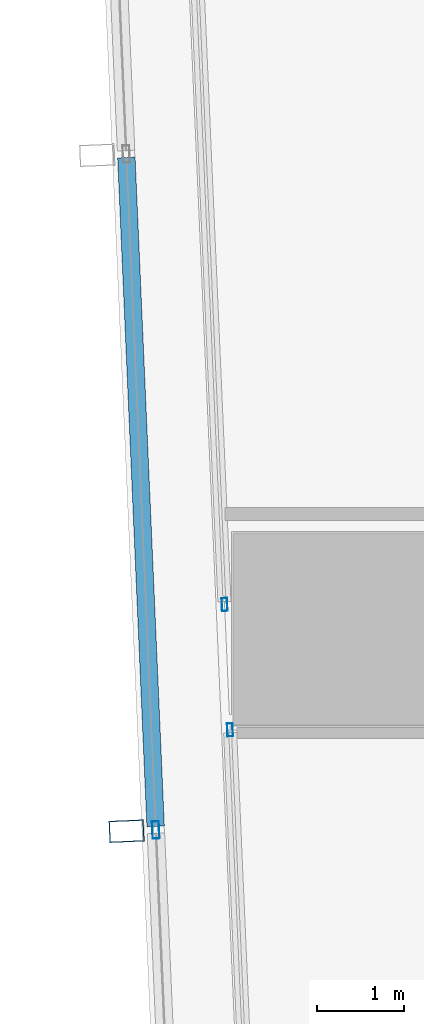
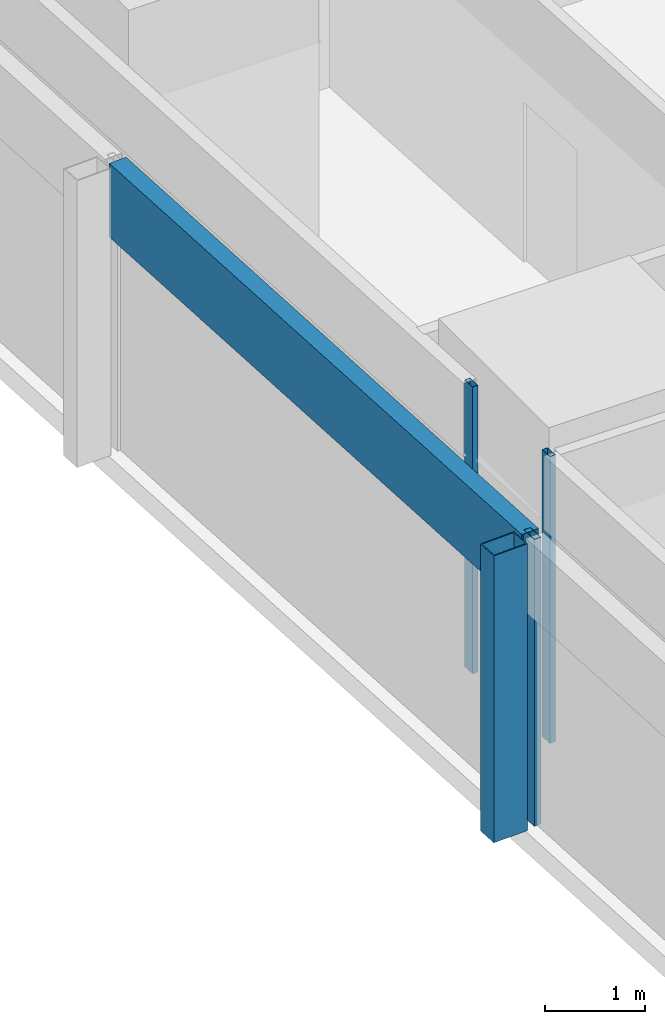
# One storey, part 4 of 45: 5 members, 3 elements without a shape of their own.
"""IFC4 building model written with IfcOpenShell, lengths in metres."""

from ifc_helpers import new_model, si_unit, direction, frame, origin, origin_2d, place, context, subcontext, project, spatial, hollow_rectangle, extrude, material, material_profile, profile_set, type_object, element, aggregate, save


model = new_model("IFC4")

# Units and contexts
model_context = context("Model", 3, precision=1e-05, world=origin(), true_north=direction((0.0, 1.0)))
body_context = subcontext(model_context, "Body", "Model", "MODEL_VIEW")
ifc_project = project(units=[si_unit("LENGTHUNIT", "METRE"), si_unit("AREAUNIT", "SQUARE_METRE"), si_unit("VOLUMEUNIT", "CUBIC_METRE"), si_unit("PLANEANGLEUNIT", "RADIAN"), si_unit("MASSUNIT", "GRAM", prefix="KILO")], contexts=[model_context])

# Site, building, storey
site_placement = place(None, origin())
site = spatial("IfcSite", under=ifc_project, at=site_placement, CompositionType="ELEMENT")
building_placement = place(site_placement, origin())
building = spatial("IfcBuilding", under=site, at=building_placement, Name="Rekha Terrace Tower", CompositionType="ELEMENT")
storey_placement = place(building_placement, frame((0.0, 0.0, 44.14990234375)))
storey = spatial("IfcBuildingStorey", under=building, at=storey_placement, Name="L10", CompositionType="ELEMENT", Elevation=44.14990234375)

# Curtain wall, member
ifc_material_1 = material(Name="Aluminium framing", Category="aluminium")
curtain_wall_type_1 = type_object("IfcCurtainWallType", Name="CW2 double skin outer glazing", PredefinedType="USERDEFINED", material=ifc_material_1)
curtain_wall_1_placement = place(storey_placement, origin())
curtain_wall_1 = element("IfcCurtainWall", 1, at=curtain_wall_1_placement, inside=storey, type_object=curtain_wall_type_1, Name="CW2 double skin outer glazing", ObjectType="DOUBLE SKIN OUTER GLAZING", PredefinedType="USERDEFINED")
ifc_material_2 = material(Name="Steel S355 with fluorocarbon finish", Category="steel")
ifc_material_profile_1 = material_profile(ifc_material_2, hollow_rectangle(XDim=0.25, YDim=0.39990234375, WallThickness=0.012451171875, at=origin_2d()), Name="RHS400x250x12.5")
ifc_profile_set_1 = profile_set([ifc_material_profile_1], Name="Steel S355 with fluorocarbon finish")
member_type_1 = type_object("IfcMemberType", Name="BL1 facade blade RHS 400 x 250", PredefinedType="USERDEFINED", material=ifc_profile_set_1)
member_1_placement = place(storey_placement, frame((6.080078125, 14.482421875, 0.0), z_axis=(0.0, 0.0, 1.0), x_axis=(0.04368215933, -0.999045478923, 0.0)))
member_1 = element("IfcMember", 2, at=member_1_placement, type_object=member_type_1, Name="Facade blade", ObjectType="FACADE BLADE", PredefinedType="USERDEFINED", context=body_context, shape_type="SweptSolid", body=[
    extrude(hollow_rectangle(XDim=0.25, YDim=0.39990234375, WallThickness=0.012451171875, at=origin_2d()), origin(), (0.0, 0.0, 1.0), 3.5),
])

curtain_wall_type_2 = type_object("IfcCurtainWallType", Name="CW1 double skin inner glazing", PredefinedType="USERDEFINED", material=ifc_material_1)
curtain_wall_2_placement = place(storey_placement, origin())
curtain_wall_2 = element("IfcCurtainWall", 3, at=curtain_wall_2_placement, inside=storey, type_object=curtain_wall_type_2, Name="CW1 double skin inner glazing", ObjectType="DOUBLE SKIN INNER GLAZING", PredefinedType="USERDEFINED")
ifc_material_3 = material(Name="Aluminium mullion section", Category="aluminium")
ifc_material_profile_2 = material_profile(ifc_material_3, hollow_rectangle(XDim=0.06494140625, YDim=0.14990234375, WallThickness=0.00390625, at=origin_2d()), Name="AL RHS 65x150")
ifc_profile_set_2 = profile_set([ifc_material_profile_2], Name="Aluminium mullion section")
member_type_2 = type_object("IfcMemberType", Name="CW1 mullion RHS 65 x 150", PredefinedType="MULLION", material=ifc_profile_set_2)
member_2_placement = place(storey_placement, frame((7.202880859375, 17.07958984375, 0.0), z_axis=(0.0, 0.0, 1.0), x_axis=(0.999045462133, 0.043682543337, 0.0)))
member_2 = element("IfcMember", 4, at=member_2_placement, type_object=member_type_2, Name="CW1 mullion 4", PredefinedType="MULLION", context=body_context, shape_type="SweptSolid", body=[
    extrude(hollow_rectangle(XDim=0.06494140625, YDim=0.14990234375, WallThickness=0.00390625, at=origin_2d()), origin(), (0.0, 0.0, 1.0), 3.5),
])
aggregate(curtain_wall_2, [member_2])

curtain_wall_3_placement = place(storey_placement, origin())
curtain_wall_3 = element("IfcCurtainWall", 5, at=curtain_wall_3_placement, inside=storey, type_object=curtain_wall_type_2, Name="CW1 double skin inner glazing", ObjectType="DOUBLE SKIN INNER GLAZING", PredefinedType="USERDEFINED")
member_3_placement = place(storey_placement, frame((7.265625, 15.643310546875, 0.0), z_axis=(0.0, 0.0, 1.0), x_axis=(0.999045462129, 0.043682543424, 0.0)))
member_3 = element("IfcMember", 6, at=member_3_placement, type_object=member_type_2, Name="CW1 mullion 1", PredefinedType="MULLION", context=body_context, shape_type="SweptSolid", body=[
    extrude(hollow_rectangle(XDim=0.06494140625, YDim=0.14990234375, WallThickness=0.00390625, at=origin_2d()), origin(), (0.0, 0.0, 1.0), 3.5),
])
aggregate(curtain_wall_3, [member_3])

# Member
ifc_material_profile_3 = material_profile(ifc_material_3, hollow_rectangle(XDim=0.080078125, YDim=0.199951171875, WallThickness=0.00390625, at=origin_2d()), Name="AL RHS 80x200")
ifc_profile_set_3 = profile_set([ifc_material_profile_3], Name="Aluminium mullion section")
member_type_3 = type_object("IfcMemberType", Name="CW2 mullion RHS 80 x 200", PredefinedType="MULLION", material=ifc_profile_set_3)
member_4_placement = place(storey_placement, frame((6.414794921875, 14.4970703125, 0.0), z_axis=(0.0, 0.0, 1.0), x_axis=(0.999045462131, 0.043682543372, 0.0)))
member_4 = element("IfcMember", 7, at=member_4_placement, type_object=member_type_3, Name="CW2 mullion 5", PredefinedType="MULLION", context=body_context, shape_type="SweptSolid", body=[
    extrude(hollow_rectangle(XDim=0.080078125, YDim=0.199951171875, WallThickness=0.00390625, at=origin_2d()), origin(), (0.0, 0.0, 1.0), 3.5),
])

ifc_material_4 = material(Name="Insulated aluminium spandrel box", Category="aluminium")
ifc_material_profile_4 = material_profile(ifc_material_4, hollow_rectangle(XDim=0.199951171875, YDim=0.89990234375, WallThickness=0.0029296875, at=origin_2d()), Name="AL SPANDREL BOX 200x900")
ifc_profile_set_4 = profile_set([ifc_material_profile_4], Name="Insulated aluminium spandrel box")
member_type_4 = type_object("IfcMemberType", Name="CW2 spandrel transom 200 x 900", PredefinedType="USERDEFINED", material=ifc_profile_set_4)
member_5_placement = place(storey_placement, frame((6.077880859375, 22.201416015625, 3.050048828125), z_axis=(0.043694095051, -0.999044956975, 0.0), x_axis=(0.999044956975, 0.043694095051, 0.0)))
member_5 = element("IfcMember", 8, at=member_5_placement, type_object=member_type_4, Name="CW2 spandrel transom 4", ObjectType="TRANSOM", PredefinedType="USERDEFINED", context=body_context, shape_type="SweptSolid", body=[
    extrude(hollow_rectangle(XDim=0.199951171875, YDim=0.89990234375, WallThickness=0.0029296875, at=origin_2d()), origin(), (0.0, 0.0, 1.0), 7.671630859375),
])

aggregate(curtain_wall_1, [member_4, member_5, member_1])

save(model, "model.ifc")
